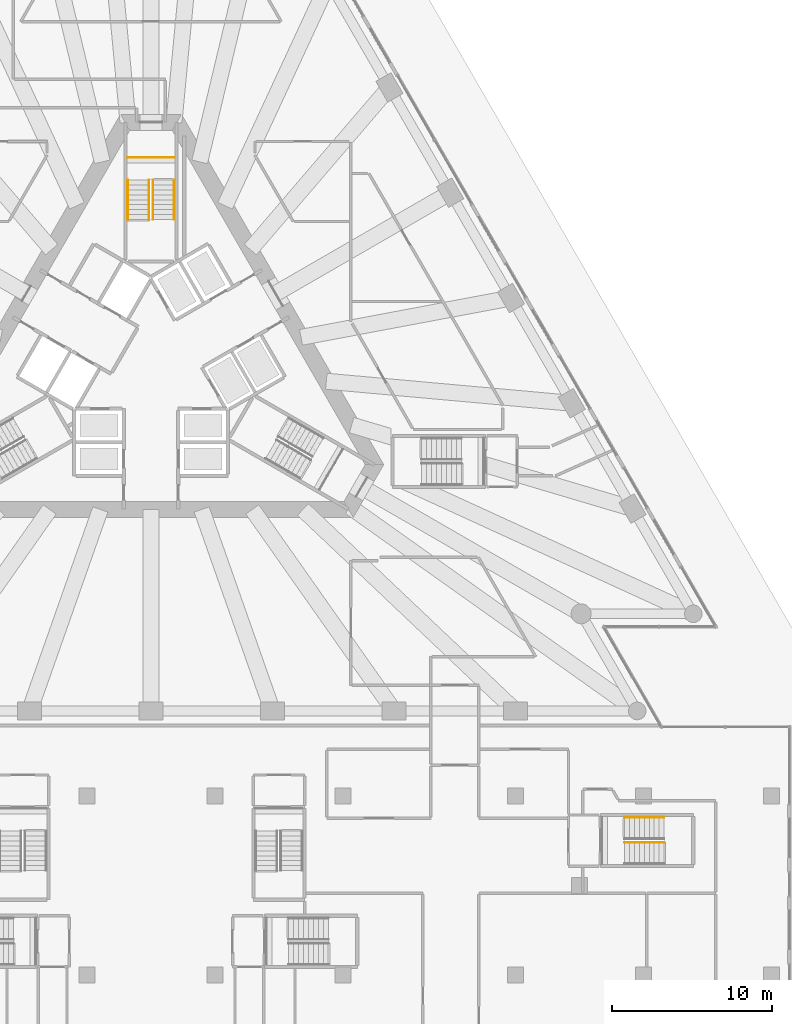
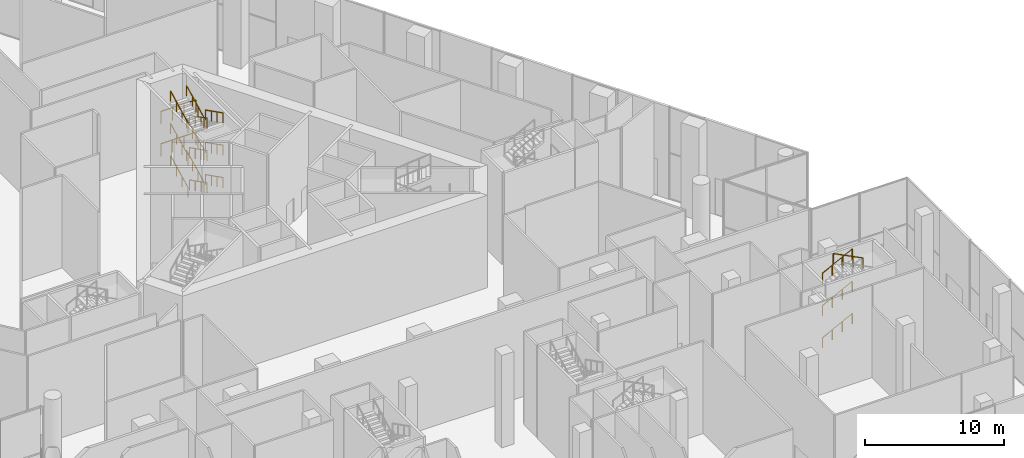
# One storey, part 40 of 41: 18 railings, 2 elements without a shape of their own.
"""IFC4 building model written with IfcOpenShell, lengths in metres."""

import ifcopenshell
import ifcopenshell.guid

model = None  # the IFC model being written
_history = None  # IfcOwnerHistory: only IFC2X3 demands one
_inside = {}  # id of a spatial element -> (the spatial element, [elements in it])
_under = {}  # id of a project, library or spatial element -> (it, [spatial elements below it])
_declared = {}  # id of a project -> (the project, [libraries it declares])
_typed = {}  # id of a type object -> (the type object, [elements of that type])
_made_of = {}  # id of a material, layer set ... -> (it, [elements and type objects made of it])


def new_model(schema):
    """Start an empty IFC model of exactly this schema.

    Asked for "IFC4X3", IfcOpenShell would pick the latest addendum, in which some entities
    have other attributes; the version numbers below select the first issue.
    IFC2X3 requires an IfcOwnerHistory on every rooted entity: one is made here for all.
    """
    global model, _history
    if schema == "IFC4X3":
        model = ifcopenshell.file(schema_version=(4, 3, 0, 0))
    else:
        model = ifcopenshell.file(schema=schema)
    _inside.clear()
    _under.clear()
    _declared.clear()
    _typed.clear()
    _made_of.clear()
    _history = None
    if model.schema == "IFC2X3":
        org = make("IfcOrganization", Name="unknown")
        user = make(
            "IfcPersonAndOrganization",
            ThePerson=make("IfcPerson", FamilyName="unknown"),
            TheOrganization=org,
        )
        app = make(
            "IfcApplication",
            ApplicationDeveloper=org,
            Version="unknown",
            ApplicationFullName="unknown",
            ApplicationIdentifier="unknown",
        )
        _history = make(
            "IfcOwnerHistory",
            OwningUser=user,
            OwningApplication=app,
            ChangeAction="ADDED",
            CreationDate=0,
        )
    return model


def make(cls, **values):
    """One entity of the class cls with the attributes given. An attribute that is None is left unset."""
    return model.create_entity(
        cls, **{name: value for name, value in values.items() if value is not None}
    )


def rooted(cls, **values):
    """An entity with a GlobalId (a new one), such as an element, a storey or a relation."""
    return make(cls, GlobalId=ifcopenshell.guid.new(), OwnerHistory=_history, **values)


def si_unit(unit_type, name, prefix=None):
    """IfcSIUnit, for example si_unit("LENGTHUNIT", "METRE", prefix="MILLI")."""
    return make("IfcSIUnit", UnitType=unit_type, Prefix=prefix, Name=name)


def assignment(units):
    """IfcUnitAssignment: the units of a project."""
    return None if units is None else make("IfcUnitAssignment", Units=units)


def point(xyz):
    """IfcCartesianPoint."""
    return None if xyz is None else make("IfcCartesianPoint", Coordinates=xyz)


def direction(xyz):
    """IfcDirection."""
    return None if xyz is None else make("IfcDirection", DirectionRatios=xyz)


def frame(location, z_axis=None, x_axis=None):
    """IfcAxis2Placement3D, a coordinate frame: its origin and axes. An axis left out is left unset."""
    return make(
        "IfcAxis2Placement3D",
        Location=point(location),
        Axis=direction(z_axis),
        RefDirection=direction(x_axis),
    )


def frame_2d(location, x_axis=None):
    """IfcAxis2Placement2D, a coordinate frame in the plane: its origin and x axis."""
    return make(
        "IfcAxis2Placement2D", Location=point(location), RefDirection=direction(x_axis)
    )


def origin():
    """The frame at (0, 0, 0) with its axes left unset."""
    return frame((0.0, 0.0, 0.0))


def origin_2d():
    """The frame at (0, 0) in the plane with its x axis left unset."""
    return frame_2d((0.0, 0.0))


def place(relative_to, where):
    """IfcLocalPlacement: puts the frame where relative to a parent placement (None: the world)."""
    return make(
        "IfcLocalPlacement", PlacementRelTo=relative_to, RelativePlacement=where
    )


def context(
    kind, dimensions, precision=None, world=None, true_north=None, identifier=None
):
    """IfcGeometricRepresentationContext, for example the 3D "Model" context."""
    return make(
        "IfcGeometricRepresentationContext",
        ContextIdentifier=identifier,
        ContextType=kind,
        CoordinateSpaceDimension=dimensions,
        Precision=precision,
        WorldCoordinateSystem=world,
        TrueNorth=true_north,
    )


def subcontext(parent, identifier, kind, view, scale=None):
    """IfcGeometricRepresentationSubContext, for example "Body" below "Model"."""
    return make(
        "IfcGeometricRepresentationSubContext",
        ContextIdentifier=identifier,
        ContextType=kind,
        ParentContext=parent,
        TargetScale=scale,
        TargetView=view,
    )


def project(units=None, contexts=None):
    """IfcProject with its units and contexts."""
    return rooted(
        "IfcProject",
        Name="project",
        RepresentationContexts=contexts,
        UnitsInContext=assignment(units),
    )


def spatial(cls, under=None, at=None, **own):
    """A site, building, storey or space (cls), placed at a placement, below another one or the project."""
    s = rooted(cls, ObjectPlacement=at, **own)
    if under is not None:
        _under.setdefault(under.id(), (under, []))[1].append(s)
    return s


def profile(cls, at=None, kind="AREA", **sizes):
    """A parametric profile (cls). Its sizes go by their IFC names, for example OverallWidth=200.0."""
    return make(cls, ProfileType=kind, Position=at, **sizes)


def circle(**sizes):
    """IfcCircleProfileDef."""
    return profile("IfcCircleProfileDef", **sizes)


def extrude(swept, where, along, depth):
    """IfcExtrudedAreaSolid: the profile swept, set in the frame where, extruded along a direction by depth."""
    return make(
        "IfcExtrudedAreaSolid",
        SweptArea=swept,
        Position=where,
        ExtrudedDirection=direction(along),
        Depth=depth,
    )


def shape(context_of_items, identifier, shape_type, items):
    """IfcShapeRepresentation: the items that make up one representation, for example the "Body"."""
    return make(
        "IfcShapeRepresentation",
        ContextOfItems=context_of_items,
        RepresentationIdentifier=identifier,
        RepresentationType=shape_type,
        Items=items,
    )


def material(Name=None, Category=None):
    """IfcMaterial."""
    return make("IfcMaterial", Name=Name, Category=Category)


def made_of(thing, what):
    """Note that an element or type object is made of a material, layer set ...; save() writes the relation."""
    if what is not None:
        _made_of.setdefault(what.id(), (what, []))[1].append(thing)
    return thing


def type_object(cls, material=None, **own):
    """A type object (cls), such as IfcWallType, which elements share."""
    return made_of(rooted(cls, **own), material)


def element(
    cls,
    number,
    at=None,
    inside=None,
    cuts=None,
    type_object=None,
    material=None,
    context=None,
    identifier="Body",
    shape_type=None,
    held_by="IfcProductDefinitionShape",
    body=None,
    shapes=None,
    **own,
):
    """One element of the class cls, such as IfcWall. Its Tag is "e" and its number.

    at: its placement. inside: the storey or other place that contains it. cuts: it is an
    opening in that element (IfcRelVoidsElement). A single representation is given by context,
    identifier, shape_type and body (its items); several are given by shapes. held_by: the class
    of the entity that holds the representations. save() writes the other relations.
    """
    e = rooted(cls, Tag="e%d" % number, ObjectPlacement=at, **own)
    if body is not None:
        shapes = [shape(context, identifier, shape_type, body)]
    if shapes is not None:
        e.Representation = make(held_by, Representations=shapes)
    if inside is not None:
        _inside.setdefault(inside.id(), (inside, []))[1].append(e)
    if cuts is not None:
        rooted(
            "IfcRelVoidsElement", RelatingBuildingElement=cuts, RelatedOpeningElement=e
        )
    if type_object is not None:
        _typed.setdefault(type_object.id(), (type_object, []))[1].append(e)
    return made_of(e, material)


def aggregate(whole, parts):
    """IfcRelAggregates: a whole, such as a stair, and the parts it consists of."""
    return rooted("IfcRelAggregates", RelatingObject=whole, RelatedObjects=parts)


def save(model, path):
    """Write the relations noted so far, then the file.

    IfcRelAggregates (storeys below a building ...), IfcRelContainedInSpatialStructure (elements
    in a storey), IfcRelDefinesByType, IfcRelAssociatesMaterial and IfcRelDeclares: one each for
    every whole, place, type object, material and project.
    """
    for whole, parts in _under.values():
        aggregate(whole, parts)
    for where, things in _inside.values():
        rooted(
            "IfcRelContainedInSpatialStructure",
            RelatedElements=things,
            RelatingStructure=where,
        )
    for kind, things in _typed.values():
        rooted("IfcRelDefinesByType", RelatedObjects=things, RelatingType=kind)
    for what, things in _made_of.values():
        rooted("IfcRelAssociatesMaterial", RelatedObjects=things, RelatingMaterial=what)
    for by, libraries in _declared.values():
        rooted("IfcRelDeclares", RelatingContext=by, RelatedDefinitions=libraries)
    model.write(path)


model = new_model("IFC4")

# Units and contexts
model_context = context("Model", 3, precision=1e-05, world=origin(), true_north=direction((0.0, 1.0)))
body_context = subcontext(model_context, "Body", "Model", "MODEL_VIEW")
ifc_project = project(units=[si_unit("LENGTHUNIT", "METRE"), si_unit("AREAUNIT", "SQUARE_METRE"), si_unit("VOLUMEUNIT", "CUBIC_METRE"), si_unit("PLANEANGLEUNIT", "RADIAN"), si_unit("MASSUNIT", "GRAM", prefix="KILO")], contexts=[model_context])

# Site, building, storey
site_placement = place(None, origin())
site = spatial("IfcSite", under=ifc_project, at=site_placement, CompositionType="ELEMENT")
building_placement = place(site_placement, origin())
building = spatial("IfcBuilding", under=site, at=building_placement, Name="Triada Interchange Tower", CompositionType="ELEMENT")
storey_placement = place(building_placement, origin())
storey = spatial("IfcBuildingStorey", under=building, at=storey_placement, Name="L00", CompositionType="ELEMENT", Elevation=0.0)

# Stair, railings
ifc_material_1 = material(Name="Concrete C35/45", Category="concrete")
stair_type = type_object("IfcStairType", Name="HALF TURN STAIR 1400", PredefinedType="HALF_TURN_STAIR", material=ifc_material_1)
stair_1_placement = place(storey_placement, origin())
stair_1 = element("IfcStair", 1, at=stair_1_placement, inside=storey, type_object=stair_type, Name="Exit stair S00-1", PredefinedType="HALF_TURN_STAIR")
ifc_material_2 = material(Name="Stainless steel 1.4301", Category="steel")
railing_type_1 = type_object("IfcRailingType", Name="STAIR GUARD 1100", PredefinedType="GUARDRAIL", material=ifc_material_2)
railing_1_placement = place(storey_placement, frame((1.449951171875, 13.0, 2.83349609375)))
railing_1 = element("IfcRailing", 2, at=railing_1_placement, type_object=railing_type_1, Name="Guard S00-1 1", PredefinedType="GUARDRAIL", context=body_context, shape_type="SweptSolid", body=[
    extrude(circle(Radius=0.02392578125, at=origin_2d()), frame((0.0, 0.0, 1.076171875), z_axis=(-1.0, 0.0, 0.0), x_axis=(0.0, -1.0, 0.0)), (0.0, 0.0, 1.0), 2.89990234375),
    extrude(circle(Radius=0.02099609375, at=origin_2d()), origin(), (0.0, 0.0, 1.0), 1.052001953125),
    extrude(circle(Radius=0.02099609375, at=origin_2d()), frame((-0.966552734375, 0.0, 0.0)), (0.0, 0.0, 1.0), 1.052001953125),
    extrude(circle(Radius=0.02099609375, at=origin_2d()), frame((-1.933349609375, 0.0, 0.0)), (0.0, 0.0, 1.0), 1.052001953125),
    extrude(circle(Radius=0.02099609375, at=origin_2d()), frame((-2.89990234375, 0.0, 0.0)), (0.0, 0.0, 1.0), 1.052001953125),
])
railing_2_placement = place(storey_placement, frame((1.449951171875, 13.0, 5.666748046875)))
railing_2 = element("IfcRailing", 3, at=railing_2_placement, type_object=railing_type_1, Name="Guard S00-1 2", PredefinedType="GUARDRAIL", context=body_context, shape_type="SweptSolid", body=[
    extrude(circle(Radius=0.02392578125, at=origin_2d()), frame((0.0, 0.0, 1.076171875), z_axis=(-1.0, 0.0, 0.0), x_axis=(0.0, -1.0, 0.0)), (0.0, 0.0, 1.0), 2.89990234375),
    extrude(circle(Radius=0.02099609375, at=origin_2d()), origin(), (0.0, 0.0, 1.0), 1.052001953125),
    extrude(circle(Radius=0.02099609375, at=origin_2d()), frame((-0.966552734375, 0.0, 0.0)), (0.0, 0.0, 1.0), 1.052001953125),
    extrude(circle(Radius=0.02099609375, at=origin_2d()), frame((-1.933349609375, 0.0, 0.0)), (0.0, 0.0, 1.0), 1.052001953125),
    extrude(circle(Radius=0.02099609375, at=origin_2d()), frame((-2.89990234375, 0.0, 0.0)), (0.0, 0.0, 1.0), 1.052001953125),
])
railing_type_2 = type_object("IfcRailingType", Name="STAIR HANDRAIL 900", PredefinedType="HANDRAIL", material=ifc_material_2)
railing_3_placement = place(storey_placement, frame((1.449951171875, 11.60009765625, 0.157470703125)))
railing_3 = element("IfcRailing", 4, at=railing_3_placement, type_object=railing_type_2, Name="Handrail S00-1 1W", PredefinedType="HANDRAIL", context=body_context, shape_type="SweptSolid", body=[
    extrude(circle(Radius=0.02392578125, at=origin_2d()), frame((0.0, 0.0, 0.8759765625), z_axis=(0.0, -0.891636241932, 0.452752484336), x_axis=(1.0, 0.0, 0.0)), (0.0, 0.0, 1.0), 2.781494140625),
    extrude(circle(Radius=0.02099609375, at=origin_2d()), origin(), (0.0, 0.0, 1.0), 0.851806640625),
    extrude(circle(Radius=0.02099609375, at=origin_2d()), frame((0.0, -0.82666015625, 0.419677734375)), (0.0, 0.0, 1.0), 0.851806640625),
    extrude(circle(Radius=0.02099609375, at=origin_2d()), frame((0.0, -1.6533203125, 0.839599609375)), (0.0, 0.0, 1.0), 0.851806640625),
    extrude(circle(Radius=0.02099609375, at=origin_2d()), frame((0.0, -2.47998046875, 1.25927734375)), (0.0, 0.0, 1.0), 0.851806640625),
])
railing_4_placement = place(storey_placement, frame((0.1201171875, 11.60009765625, 0.157470703125)))
railing_4 = element("IfcRailing", 5, at=railing_4_placement, type_object=railing_type_2, Name="Handrail S00-1 1C", PredefinedType="HANDRAIL", context=body_context, shape_type="SweptSolid", body=[
    extrude(circle(Radius=0.02392578125, at=origin_2d()), frame((0.0, 0.0, 0.8759765625), z_axis=(0.0, -0.891636241932, 0.452752484336), x_axis=(1.0, 0.0, 0.0)), (0.0, 0.0, 1.0), 2.781494140625),
    extrude(circle(Radius=0.02099609375, at=origin_2d()), origin(), (0.0, 0.0, 1.0), 0.851806640625),
    extrude(circle(Radius=0.02099609375, at=origin_2d()), frame((0.0, -0.82666015625, 0.419677734375)), (0.0, 0.0, 1.0), 0.851806640625),
    extrude(circle(Radius=0.02099609375, at=origin_2d()), frame((0.0, -1.6533203125, 0.839599609375)), (0.0, 0.0, 1.0), 0.851806640625),
    extrude(circle(Radius=0.02099609375, at=origin_2d()), frame((0.0, -2.47998046875, 1.25927734375)), (0.0, 0.0, 1.0), 0.851806640625),
])
railing_5_placement = place(storey_placement, frame((-1.449951171875, 9.1201171875, 1.57421875)))
railing_5 = element("IfcRailing", 6, at=railing_5_placement, type_object=railing_type_2, Name="Handrail S00-1 2W", PredefinedType="HANDRAIL", context=body_context, shape_type="SweptSolid", body=[
    extrude(circle(Radius=0.02392578125, at=origin_2d()), frame((0.0, 0.0, 0.8759765625), z_axis=(0.0, 0.891636241932, 0.452752484336), x_axis=(-1.0, 0.0, 0.0)), (0.0, 0.0, 1.0), 2.781494140625),
    extrude(circle(Radius=0.02099609375, at=origin_2d()), origin(), (0.0, 0.0, 1.0), 0.851806640625),
    extrude(circle(Radius=0.02099609375, at=origin_2d()), frame((0.0, 0.82666015625, 0.419677734375)), (0.0, 0.0, 1.0), 0.851806640625),
    extrude(circle(Radius=0.02099609375, at=origin_2d()), frame((0.0, 1.6533203125, 0.839599609375)), (0.0, 0.0, 1.0), 0.851806640625),
    extrude(circle(Radius=0.02099609375, at=origin_2d()), frame((0.0, 2.47998046875, 1.25927734375)), (0.0, 0.0, 1.0), 0.851806640625),
])
railing_6_placement = place(storey_placement, frame((-0.1201171875, 9.1201171875, 1.57421875)))
railing_6 = element("IfcRailing", 7, at=railing_6_placement, type_object=railing_type_2, Name="Handrail S00-1 2C", PredefinedType="HANDRAIL", context=body_context, shape_type="SweptSolid", body=[
    extrude(circle(Radius=0.02392578125, at=origin_2d()), frame((0.0, 0.0, 0.8759765625), z_axis=(0.0, 0.891636241932, 0.452752484336), x_axis=(-1.0, 0.0, 0.0)), (0.0, 0.0, 1.0), 2.781494140625),
    extrude(circle(Radius=0.02099609375, at=origin_2d()), origin(), (0.0, 0.0, 1.0), 0.851806640625),
    extrude(circle(Radius=0.02099609375, at=origin_2d()), frame((0.0, 0.82666015625, 0.419677734375)), (0.0, 0.0, 1.0), 0.851806640625),
    extrude(circle(Radius=0.02099609375, at=origin_2d()), frame((0.0, 1.6533203125, 0.839599609375)), (0.0, 0.0, 1.0), 0.851806640625),
    extrude(circle(Radius=0.02099609375, at=origin_2d()), frame((0.0, 2.47998046875, 1.25927734375)), (0.0, 0.0, 1.0), 0.851806640625),
])
railing_7_placement = place(storey_placement, frame((1.449951171875, 11.60009765625, 2.99072265625)))
railing_7 = element("IfcRailing", 8, at=railing_7_placement, type_object=railing_type_2, Name="Handrail S00-1 3W", PredefinedType="HANDRAIL", context=body_context, shape_type="SweptSolid", body=[
    extrude(circle(Radius=0.02392578125, at=origin_2d()), frame((0.0, 0.0, 0.8759765625), z_axis=(0.0, -0.891636241932, 0.452752484336), x_axis=(1.0, 0.0, 0.0)), (0.0, 0.0, 1.0), 2.781494140625),
    extrude(circle(Radius=0.02099609375, at=origin_2d()), origin(), (0.0, 0.0, 1.0), 0.851806640625),
    extrude(circle(Radius=0.02099609375, at=origin_2d()), frame((0.0, -0.82666015625, 0.419677734375)), (0.0, 0.0, 1.0), 0.851806640625),
    extrude(circle(Radius=0.02099609375, at=origin_2d()), frame((0.0, -1.6533203125, 0.839599609375)), (0.0, 0.0, 1.0), 0.851806640625),
    extrude(circle(Radius=0.02099609375, at=origin_2d()), frame((0.0, -2.47998046875, 1.25927734375)), (0.0, 0.0, 1.0), 0.851806640625),
])
railing_8_placement = place(storey_placement, frame((0.1201171875, 11.60009765625, 2.99072265625)))
railing_8 = element("IfcRailing", 9, at=railing_8_placement, type_object=railing_type_2, Name="Handrail S00-1 3C", PredefinedType="HANDRAIL", context=body_context, shape_type="SweptSolid", body=[
    extrude(circle(Radius=0.02392578125, at=origin_2d()), frame((0.0, 0.0, 0.8759765625), z_axis=(0.0, -0.891636241932, 0.452752484336), x_axis=(1.0, 0.0, 0.0)), (0.0, 0.0, 1.0), 2.781494140625),
    extrude(circle(Radius=0.02099609375, at=origin_2d()), origin(), (0.0, 0.0, 1.0), 0.851806640625),
    extrude(circle(Radius=0.02099609375, at=origin_2d()), frame((0.0, -0.82666015625, 0.419677734375)), (0.0, 0.0, 1.0), 0.851806640625),
    extrude(circle(Radius=0.02099609375, at=origin_2d()), frame((0.0, -1.6533203125, 0.839599609375)), (0.0, 0.0, 1.0), 0.851806640625),
    extrude(circle(Radius=0.02099609375, at=origin_2d()), frame((0.0, -2.47998046875, 1.25927734375)), (0.0, 0.0, 1.0), 0.851806640625),
])
railing_9_placement = place(storey_placement, frame((-1.449951171875, 9.1201171875, 4.407470703125)))
railing_9 = element("IfcRailing", 10, at=railing_9_placement, type_object=railing_type_2, Name="Handrail S00-1 4W", PredefinedType="HANDRAIL", context=body_context, shape_type="SweptSolid", body=[
    extrude(circle(Radius=0.02392578125, at=origin_2d()), frame((0.0, 0.0, 0.8759765625), z_axis=(0.0, 0.891636241932, 0.452752484336), x_axis=(-1.0, 0.0, 0.0)), (0.0, 0.0, 1.0), 2.781494140625),
    extrude(circle(Radius=0.02099609375, at=origin_2d()), origin(), (0.0, 0.0, 1.0), 0.851806640625),
    extrude(circle(Radius=0.02099609375, at=origin_2d()), frame((0.0, 0.82666015625, 0.419677734375)), (0.0, 0.0, 1.0), 0.851806640625),
    extrude(circle(Radius=0.02099609375, at=origin_2d()), frame((0.0, 1.6533203125, 0.839599609375)), (0.0, 0.0, 1.0), 0.851806640625),
    extrude(circle(Radius=0.02099609375, at=origin_2d()), frame((0.0, 2.47998046875, 1.25927734375)), (0.0, 0.0, 1.0), 0.851806640625),
])
railing_10_placement = place(storey_placement, frame((-0.1201171875, 9.1201171875, 4.407470703125)))
railing_10 = element("IfcRailing", 11, at=railing_10_placement, type_object=railing_type_2, Name="Handrail S00-1 4C", PredefinedType="HANDRAIL", context=body_context, shape_type="SweptSolid", body=[
    extrude(circle(Radius=0.02392578125, at=origin_2d()), frame((0.0, 0.0, 0.8759765625), z_axis=(0.0, 0.891636241932, 0.452752484336), x_axis=(-1.0, 0.0, 0.0)), (0.0, 0.0, 1.0), 2.781494140625),
    extrude(circle(Radius=0.02099609375, at=origin_2d()), origin(), (0.0, 0.0, 1.0), 0.851806640625),
    extrude(circle(Radius=0.02099609375, at=origin_2d()), frame((0.0, 0.82666015625, 0.419677734375)), (0.0, 0.0, 1.0), 0.851806640625),
    extrude(circle(Radius=0.02099609375, at=origin_2d()), frame((0.0, 1.6533203125, 0.839599609375)), (0.0, 0.0, 1.0), 0.851806640625),
    extrude(circle(Radius=0.02099609375, at=origin_2d()), frame((0.0, 2.47998046875, 1.25927734375)), (0.0, 0.0, 1.0), 0.851806640625),
])
railing_11_placement = place(storey_placement, frame((1.449951171875, 11.60009765625, 5.82421875)))
railing_11 = element("IfcRailing", 12, at=railing_11_placement, type_object=railing_type_2, Name="Handrail S00-1 5W", PredefinedType="HANDRAIL", context=body_context, shape_type="SweptSolid", body=[
    extrude(circle(Radius=0.02392578125, at=origin_2d()), frame((0.0, 0.0, 0.8759765625), z_axis=(0.0, -0.891636241932, 0.452752484336), x_axis=(1.0, 0.0, 0.0)), (0.0, 0.0, 1.0), 2.781494140625),
    extrude(circle(Radius=0.02099609375, at=origin_2d()), origin(), (0.0, 0.0, 1.0), 0.851806640625),
    extrude(circle(Radius=0.02099609375, at=origin_2d()), frame((0.0, -0.82666015625, 0.419677734375)), (0.0, 0.0, 1.0), 0.851806640625),
    extrude(circle(Radius=0.02099609375, at=origin_2d()), frame((0.0, -1.6533203125, 0.839599609375)), (0.0, 0.0, 1.0), 0.851806640625),
    extrude(circle(Radius=0.02099609375, at=origin_2d()), frame((0.0, -2.47998046875, 1.25927734375)), (0.0, 0.0, 1.0), 0.851806640625),
])
railing_12_placement = place(storey_placement, frame((0.1201171875, 11.60009765625, 5.82421875)))
railing_12 = element("IfcRailing", 13, at=railing_12_placement, type_object=railing_type_2, Name="Handrail S00-1 5C", PredefinedType="HANDRAIL", context=body_context, shape_type="SweptSolid", body=[
    extrude(circle(Radius=0.02392578125, at=origin_2d()), frame((0.0, 0.0, 0.8759765625), z_axis=(0.0, -0.891636241932, 0.452752484336), x_axis=(1.0, 0.0, 0.0)), (0.0, 0.0, 1.0), 2.781494140625),
    extrude(circle(Radius=0.02099609375, at=origin_2d()), origin(), (0.0, 0.0, 1.0), 0.851806640625),
    extrude(circle(Radius=0.02099609375, at=origin_2d()), frame((0.0, -0.82666015625, 0.419677734375)), (0.0, 0.0, 1.0), 0.851806640625),
    extrude(circle(Radius=0.02099609375, at=origin_2d()), frame((0.0, -1.6533203125, 0.839599609375)), (0.0, 0.0, 1.0), 0.851806640625),
    extrude(circle(Radius=0.02099609375, at=origin_2d()), frame((0.0, -2.47998046875, 1.25927734375)), (0.0, 0.0, 1.0), 0.851806640625),
])
railing_13_placement = place(storey_placement, frame((-1.449951171875, 9.1201171875, 7.240966796875)))
railing_13 = element("IfcRailing", 14, at=railing_13_placement, type_object=railing_type_2, Name="Handrail S00-1 6W", PredefinedType="HANDRAIL", context=body_context, shape_type="SweptSolid", body=[
    extrude(circle(Radius=0.02392578125, at=origin_2d()), frame((0.0, 0.0, 0.8759765625), z_axis=(0.0, 0.891636241932, 0.452752484336), x_axis=(-1.0, 0.0, 0.0)), (0.0, 0.0, 1.0), 2.781494140625),
    extrude(circle(Radius=0.02099609375, at=origin_2d()), origin(), (0.0, 0.0, 1.0), 0.851806640625),
    extrude(circle(Radius=0.02099609375, at=origin_2d()), frame((0.0, 0.82666015625, 0.419677734375)), (0.0, 0.0, 1.0), 0.851806640625),
    extrude(circle(Radius=0.02099609375, at=origin_2d()), frame((0.0, 1.6533203125, 0.839599609375)), (0.0, 0.0, 1.0), 0.851806640625),
    extrude(circle(Radius=0.02099609375, at=origin_2d()), frame((0.0, 2.47998046875, 1.25927734375)), (0.0, 0.0, 1.0), 0.851806640625),
])
railing_14_placement = place(storey_placement, frame((-0.1201171875, 9.1201171875, 7.240966796875)))
railing_14 = element("IfcRailing", 15, at=railing_14_placement, type_object=railing_type_2, Name="Handrail S00-1 6C", PredefinedType="HANDRAIL", context=body_context, shape_type="SweptSolid", body=[
    extrude(circle(Radius=0.02392578125, at=origin_2d()), frame((0.0, 0.0, 0.8759765625), z_axis=(0.0, 0.891636241932, 0.452752484336), x_axis=(-1.0, 0.0, 0.0)), (0.0, 0.0, 1.0), 2.781494140625),
    extrude(circle(Radius=0.02099609375, at=origin_2d()), origin(), (0.0, 0.0, 1.0), 0.851806640625),
    extrude(circle(Radius=0.02099609375, at=origin_2d()), frame((0.0, 0.82666015625, 0.419677734375)), (0.0, 0.0, 1.0), 0.851806640625),
    extrude(circle(Radius=0.02099609375, at=origin_2d()), frame((0.0, 1.6533203125, 0.839599609375)), (0.0, 0.0, 1.0), 0.851806640625),
    extrude(circle(Radius=0.02099609375, at=origin_2d()), frame((0.0, 2.47998046875, 1.25927734375)), (0.0, 0.0, 1.0), 0.851806640625),
])
aggregate(stair_1, [railing_3, railing_4, railing_5, railing_6, railing_7, railing_8, railing_9, railing_10, railing_11, railing_12, railing_13, railing_14, railing_1, railing_2])

stair_2_placement = place(storey_placement, origin())
stair_2 = element("IfcStair", 16, at=stair_2_placement, inside=storey, type_object=stair_type, Name="Exit stair S00-9", PredefinedType="HALF_TURN_STAIR")
railing_15_placement = place(storey_placement, frame((29.60009765625, -28.25, 0.157470703125)))
railing_15 = element("IfcRailing", 17, at=railing_15_placement, type_object=railing_type_2, Name="Handrail S00-9 1W", PredefinedType="HANDRAIL", context=body_context, shape_type="SweptSolid", body=[
    extrude(circle(Radius=0.02392578125, at=origin_2d()), frame((0.0, 0.0, 0.8759765625), z_axis=(0.891636241932, 0.0, 0.452752484336), x_axis=(0.0, 1.0, 0.0)), (0.0, 0.0, 1.0), 2.781494140625),
    extrude(circle(Radius=0.02099609375, at=origin_2d()), origin(), (0.0, 0.0, 1.0), 0.851806640625),
    extrude(circle(Radius=0.02099609375, at=origin_2d()), frame((0.82666015625, 0.0, 0.419677734375)), (0.0, 0.0, 1.0), 0.851806640625),
    extrude(circle(Radius=0.02099609375, at=origin_2d()), frame((1.6533203125, 0.0, 0.839599609375)), (0.0, 0.0, 1.0), 0.851806640625),
    extrude(circle(Radius=0.02099609375, at=origin_2d()), frame((2.47998046875, 0.0, 1.25927734375)), (0.0, 0.0, 1.0), 0.851806640625),
])
railing_16_placement = place(storey_placement, frame((29.60009765625, -28.25, 2.99072265625)))
railing_16 = element("IfcRailing", 18, at=railing_16_placement, type_object=railing_type_2, Name="Handrail S00-9 3W", PredefinedType="HANDRAIL", context=body_context, shape_type="SweptSolid", body=[
    extrude(circle(Radius=0.02392578125, at=origin_2d()), frame((0.0, 0.0, 0.8759765625), z_axis=(0.891636241932, 0.0, 0.452752484336), x_axis=(0.0, 1.0, 0.0)), (0.0, 0.0, 1.0), 2.781494140625),
    extrude(circle(Radius=0.02099609375, at=origin_2d()), origin(), (0.0, 0.0, 1.0), 0.851806640625),
    extrude(circle(Radius=0.02099609375, at=origin_2d()), frame((0.82666015625, 0.0, 0.419677734375)), (0.0, 0.0, 1.0), 0.851806640625),
    extrude(circle(Radius=0.02099609375, at=origin_2d()), frame((1.6533203125, 0.0, 0.839599609375)), (0.0, 0.0, 1.0), 0.851806640625),
    extrude(circle(Radius=0.02099609375, at=origin_2d()), frame((2.47998046875, 0.0, 1.25927734375)), (0.0, 0.0, 1.0), 0.851806640625),
])
railing_17_placement = place(storey_placement, frame((29.60009765625, -28.25, 5.82421875)))
railing_17 = element("IfcRailing", 19, at=railing_17_placement, type_object=railing_type_2, Name="Handrail S00-9 5W", PredefinedType="HANDRAIL", context=body_context, shape_type="SweptSolid", body=[
    extrude(circle(Radius=0.02392578125, at=origin_2d()), frame((0.0, 0.0, 0.8759765625), z_axis=(0.891636241932, 0.0, 0.452752484336), x_axis=(0.0, 1.0, 0.0)), (0.0, 0.0, 1.0), 2.781494140625),
    extrude(circle(Radius=0.02099609375, at=origin_2d()), origin(), (0.0, 0.0, 1.0), 0.851806640625),
    extrude(circle(Radius=0.02099609375, at=origin_2d()), frame((0.82666015625, 0.0, 0.419677734375)), (0.0, 0.0, 1.0), 0.851806640625),
    extrude(circle(Radius=0.02099609375, at=origin_2d()), frame((1.6533203125, 0.0, 0.839599609375)), (0.0, 0.0, 1.0), 0.851806640625),
    extrude(circle(Radius=0.02099609375, at=origin_2d()), frame((2.47998046875, 0.0, 1.25927734375)), (0.0, 0.0, 1.0), 0.851806640625),
])
railing_18_placement = place(storey_placement, frame((32.080078125, -29.820068359375, 7.240966796875)))
railing_18 = element("IfcRailing", 20, at=railing_18_placement, type_object=railing_type_2, Name="Handrail S00-9 6C", PredefinedType="HANDRAIL", context=body_context, shape_type="SweptSolid", body=[
    extrude(circle(Radius=0.02392578125, at=origin_2d()), frame((0.0, 0.0, 0.8759765625), z_axis=(-0.891636241932, 0.0, 0.452752484336), x_axis=(0.0, -1.0, 0.0)), (0.0, 0.0, 1.0), 2.781494140625),
    extrude(circle(Radius=0.02099609375, at=origin_2d()), origin(), (0.0, 0.0, 1.0), 0.851806640625),
    extrude(circle(Radius=0.02099609375, at=origin_2d()), frame((-0.82666015625, 0.0, 0.419677734375)), (0.0, 0.0, 1.0), 0.851806640625),
    extrude(circle(Radius=0.02099609375, at=origin_2d()), frame((-1.6533203125, 0.0, 0.839599609375)), (0.0, 0.0, 1.0), 0.851806640625),
    extrude(circle(Radius=0.02099609375, at=origin_2d()), frame((-2.47998046875, 0.0, 1.25927734375)), (0.0, 0.0, 1.0), 0.851806640625),
])
aggregate(stair_2, [railing_15, railing_16, railing_17, railing_18])

save(model, "model.ifc")
